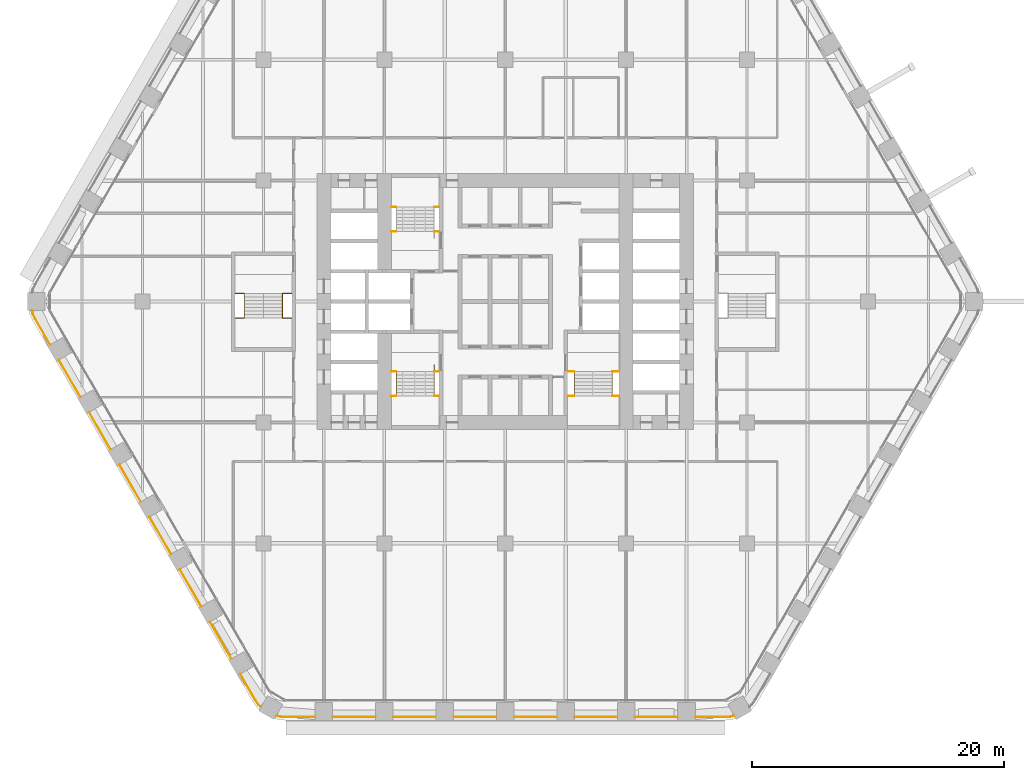
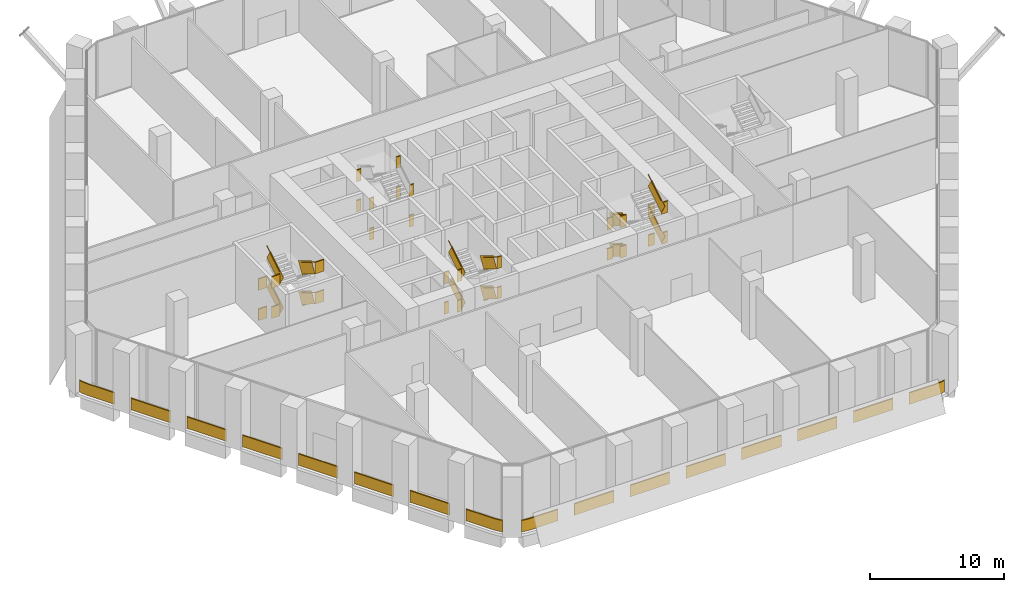
# One storey, part 28 of 29: 9 railings.
"""IFC4 building model written with IfcOpenShell, lengths in metres."""

from ifc_helpers import new_model, si_unit, direction, frame, frame_2d, origin, origin_2d, place, context, subcontext, project, spatial, rectangle, extrude, material, type_object, element, save


model = new_model("IFC4")

# Units and contexts
model_context = context("Model", 3, precision=1e-05, world=origin(), true_north=direction((0.0, 1.0)))
body_context = subcontext(model_context, "Body", "Model", "MODEL_VIEW")
ifc_project = project(units=[si_unit("LENGTHUNIT", "METRE"), si_unit("AREAUNIT", "SQUARE_METRE"), si_unit("VOLUMEUNIT", "CUBIC_METRE"), si_unit("PLANEANGLEUNIT", "RADIAN"), si_unit("MASSUNIT", "GRAM", prefix="KILO")], contexts=[model_context])

# Site, building, storey
site_placement = place(None, origin())
site = spatial("IfcSite", under=ifc_project, at=site_placement, CompositionType="ELEMENT")
building_placement = place(site_placement, origin())
building = spatial("IfcBuilding", under=site, at=building_placement, Name="Kolab Exchange Tower", CompositionType="ELEMENT")
storey_placement = place(building_placement, frame((0.0, 0.0, 33.39990234375)))
storey = spatial("IfcBuildingStorey", under=building, at=storey_placement, Name="L06", CompositionType="ELEMENT", Elevation=33.39990234375)

# Railings
ifc_material_1 = material(Name="Stainless steel 316", Category="steel")
railing_type_1 = type_object("IfcRailingType", Name="GUARD 1100", PredefinedType="GUARDRAIL", material=ifc_material_1)
railing_1_placement = place(storey_placement, frame((-9.050048828125, 5.550048828125, 0.0)))
element("IfcRailing", 1, at=railing_1_placement, inside=storey, type_object=railing_type_1, Name="Guard ST1", PredefinedType="GUARDRAIL", context=body_context, shape_type="SweptSolid", body=[
    extrude(rectangle(XDim=0.05, YDim=0.05, at=origin_2d()), frame((0.0, 0.0, 1.0751953125), z_axis=(1.0, 0.0, 0.0), x_axis=(0.0, 1.0, 0.0)), (0.0, 0.0, 1.0), 0.39013671875),
    extrude(rectangle(XDim=0.012, YDim=1.05009765625, at=frame_2d((0.0, 0.525146484375))), frame((0.0, 0.0, 0.0), z_axis=(1.0, 0.0, 0.0), x_axis=(0.0, 1.0, 0.0)), (0.0, 0.0, 1.0), 0.39013671875),
    extrude(rectangle(XDim=0.05, YDim=0.05, at=origin_2d()), frame((3.41015625, 0.0, 1.0751953125), z_axis=(1.0, 0.0, 0.0), x_axis=(0.0, 1.0, 0.0)), (0.0, 0.0, 1.0), 0.389892578125),
    extrude(rectangle(XDim=0.012, YDim=1.05009765625, at=frame_2d((0.0, 0.525146484375))), frame((3.41015625, 0.0, 0.0), z_axis=(1.0, 0.0, 0.0), x_axis=(0.0, 1.0, 0.0)), (0.0, 0.0, 1.0), 0.389892578125),
    extrude(rectangle(XDim=0.05, YDim=0.05, at=origin_2d()), frame((0.0, 1.9599609375, 2.4501953125), z_axis=(1.0, 0.0, 0.0), x_axis=(0.0, 1.0, 0.0)), (0.0, 0.0, 1.0), 0.39013671875),
    extrude(rectangle(XDim=0.012, YDim=1.05009765625, at=frame_2d((0.0, 0.525146484375))), frame((0.0, 1.9599609375, 1.375), z_axis=(1.0, 0.0, 0.0), x_axis=(0.0, 1.0, 0.0)), (0.0, 0.0, 1.0), 0.39013671875),
    extrude(rectangle(XDim=0.05, YDim=0.05, at=origin_2d()), frame((3.41015625, 1.9599609375, 2.4501953125), z_axis=(1.0, 0.0, 0.0), x_axis=(0.0, 1.0, 0.0)), (0.0, 0.0, 1.0), 0.389892578125),
    extrude(rectangle(XDim=0.012, YDim=1.05009765625, at=frame_2d((0.0, 0.525146484375))), frame((3.41015625, 1.9599609375, 1.375), z_axis=(1.0, 0.0, 0.0), x_axis=(0.0, 1.0, 0.0)), (0.0, 0.0, 1.0), 0.389892578125),
    extrude(rectangle(XDim=0.05, YDim=0.05, at=origin_2d()), frame((0.0, 0.0, 3.8251953125), z_axis=(1.0, 0.0, 0.0), x_axis=(0.0, 1.0, 0.0)), (0.0, 0.0, 1.0), 0.39013671875),
    extrude(rectangle(XDim=0.012, YDim=1.05009765625, at=frame_2d((0.0, 0.525146484375))), frame((0.0, 0.0, 2.75), z_axis=(1.0, 0.0, 0.0), x_axis=(0.0, 1.0, 0.0)), (0.0, 0.0, 1.0), 0.39013671875),
    extrude(rectangle(XDim=0.05, YDim=0.05, at=origin_2d()), frame((3.41015625, 0.0, 3.8251953125), z_axis=(1.0, 0.0, 0.0), x_axis=(0.0, 1.0, 0.0)), (0.0, 0.0, 1.0), 0.389892578125),
    extrude(rectangle(XDim=0.012, YDim=1.05009765625, at=frame_2d((0.0, 0.525146484375))), frame((3.41015625, 0.0, 2.75), z_axis=(1.0, 0.0, 0.0), x_axis=(0.0, 1.0, 0.0)), (0.0, 0.0, 1.0), 0.389892578125),
    extrude(rectangle(XDim=0.05, YDim=0.05, at=origin_2d()), frame((0.0, 1.9599609375, 5.2001953125), z_axis=(1.0, 0.0, 0.0), x_axis=(0.0, 1.0, 0.0)), (0.0, 0.0, 1.0), 0.39013671875),
    extrude(rectangle(XDim=0.012, YDim=1.05009765625, at=frame_2d((0.0, 0.525146484375))), frame((0.0, 1.9599609375, 4.125), z_axis=(1.0, 0.0, 0.0), x_axis=(0.0, 1.0, 0.0)), (0.0, 0.0, 1.0), 0.39013671875),
    extrude(rectangle(XDim=0.05, YDim=0.05, at=origin_2d()), frame((3.41015625, 1.9599609375, 5.2001953125), z_axis=(1.0, 0.0, 0.0), x_axis=(0.0, 1.0, 0.0)), (0.0, 0.0, 1.0), 0.389892578125),
    extrude(rectangle(XDim=0.012, YDim=1.05009765625, at=frame_2d((0.0, 0.525146484375))), frame((3.41015625, 1.9599609375, 4.125), z_axis=(1.0, 0.0, 0.0), x_axis=(0.0, 1.0, 0.0)), (0.0, 0.0, 1.0), 0.389892578125),
])
railing_2_placement = place(storey_placement, frame((-9.050048828125, -5.550048828125, 0.0)))
element("IfcRailing", 2, at=railing_2_placement, inside=storey, type_object=railing_type_1, Name="Guard ST3", PredefinedType="GUARDRAIL", context=body_context, shape_type="SweptSolid", body=[
    extrude(rectangle(XDim=0.05, YDim=0.05, at=origin_2d()), frame((0.0, 0.0, 1.0751953125), z_axis=(1.0, 0.0, 0.0), x_axis=(0.0, 1.0, 0.0)), (0.0, 0.0, 1.0), 0.39013671875),
    extrude(rectangle(XDim=0.012, YDim=1.05009765625, at=frame_2d((0.0, 0.525146484375))), frame((0.0, 0.0, 0.0), z_axis=(1.0, 0.0, 0.0), x_axis=(0.0, 1.0, 0.0)), (0.0, 0.0, 1.0), 0.39013671875),
    extrude(rectangle(XDim=0.05, YDim=0.05, at=origin_2d()), frame((3.41015625, 0.0, 1.0751953125), z_axis=(1.0, 0.0, 0.0), x_axis=(0.0, 1.0, 0.0)), (0.0, 0.0, 1.0), 0.389892578125),
    extrude(rectangle(XDim=0.012, YDim=1.05009765625, at=frame_2d((0.0, 0.525146484375))), frame((3.41015625, 0.0, 0.0), z_axis=(1.0, 0.0, 0.0), x_axis=(0.0, 1.0, 0.0)), (0.0, 0.0, 1.0), 0.389892578125),
    extrude(rectangle(XDim=0.05, YDim=0.05, at=origin_2d()), frame((0.0, -1.9599609375, 2.4501953125), z_axis=(1.0, 0.0, 0.0), x_axis=(0.0, 1.0, 0.0)), (0.0, 0.0, 1.0), 0.39013671875),
    extrude(rectangle(XDim=0.012, YDim=1.05009765625, at=frame_2d((0.0, 0.525146484375))), frame((0.0, -1.9599609375, 1.375), z_axis=(1.0, 0.0, 0.0), x_axis=(0.0, 1.0, 0.0)), (0.0, 0.0, 1.0), 0.39013671875),
    extrude(rectangle(XDim=0.05, YDim=0.05, at=origin_2d()), frame((3.41015625, -1.9599609375, 2.4501953125), z_axis=(1.0, 0.0, 0.0), x_axis=(0.0, 1.0, 0.0)), (0.0, 0.0, 1.0), 0.389892578125),
    extrude(rectangle(XDim=0.012, YDim=1.05009765625, at=frame_2d((0.0, 0.525146484375))), frame((3.41015625, -1.9599609375, 1.375), z_axis=(1.0, 0.0, 0.0), x_axis=(0.0, 1.0, 0.0)), (0.0, 0.0, 1.0), 0.389892578125),
    extrude(rectangle(XDim=0.05, YDim=0.05, at=origin_2d()), frame((0.0, 0.0, 3.8251953125), z_axis=(1.0, 0.0, 0.0), x_axis=(0.0, 1.0, 0.0)), (0.0, 0.0, 1.0), 0.39013671875),
    extrude(rectangle(XDim=0.012, YDim=1.05009765625, at=frame_2d((0.0, 0.525146484375))), frame((0.0, 0.0, 2.75), z_axis=(1.0, 0.0, 0.0), x_axis=(0.0, 1.0, 0.0)), (0.0, 0.0, 1.0), 0.39013671875),
    extrude(rectangle(XDim=0.05, YDim=0.05, at=origin_2d()), frame((3.41015625, 0.0, 3.8251953125), z_axis=(1.0, 0.0, 0.0), x_axis=(0.0, 1.0, 0.0)), (0.0, 0.0, 1.0), 0.389892578125),
    extrude(rectangle(XDim=0.012, YDim=1.05009765625, at=frame_2d((0.0, 0.525146484375))), frame((3.41015625, 0.0, 2.75), z_axis=(1.0, 0.0, 0.0), x_axis=(0.0, 1.0, 0.0)), (0.0, 0.0, 1.0), 0.389892578125),
    extrude(rectangle(XDim=0.05, YDim=0.05, at=origin_2d()), frame((0.0, -1.9599609375, 5.2001953125), z_axis=(1.0, 0.0, 0.0), x_axis=(0.0, 1.0, 0.0)), (0.0, 0.0, 1.0), 0.39013671875),
    extrude(rectangle(XDim=0.012, YDim=1.05009765625, at=frame_2d((0.0, 0.525146484375))), frame((0.0, -1.9599609375, 4.125), z_axis=(1.0, 0.0, 0.0), x_axis=(0.0, 1.0, 0.0)), (0.0, 0.0, 1.0), 0.39013671875),
    extrude(rectangle(XDim=0.05, YDim=0.05, at=origin_2d()), frame((3.41015625, -1.9599609375, 5.2001953125), z_axis=(1.0, 0.0, 0.0), x_axis=(0.0, 1.0, 0.0)), (0.0, 0.0, 1.0), 0.389892578125),
    extrude(rectangle(XDim=0.012, YDim=1.05009765625, at=frame_2d((0.0, 0.525146484375))), frame((3.41015625, -1.9599609375, 4.125), z_axis=(1.0, 0.0, 0.0), x_axis=(0.0, 1.0, 0.0)), (0.0, 0.0, 1.0), 0.389892578125),
])
railing_3_placement = place(storey_placement, frame((-5.639892578125, -5.550048828125, 0.172119140625)))
element("IfcRailing", 3, at=railing_3_placement, inside=storey, type_object=railing_type_1, Name="Handrail guard ST3", PredefinedType="GUARDRAIL", context=body_context, shape_type="SweptSolid", body=[
    extrude(rectangle(XDim=0.05, YDim=0.05, at=origin_2d()), frame((0.0, 0.0, 1.0751953125), z_axis=(0.0, -0.852288308005, 0.523072308613), x_axis=(1.0, 0.0, 0.0)), (0.0, 0.0, 1.0), 2.299560546875),
    extrude(rectangle(XDim=0.012, YDim=1.05009765625, at=frame_2d((0.0, 0.525146484375))), frame((0.0, 0.0, 0.0), z_axis=(0.0, -0.852288308005, 0.523072308613), x_axis=(1.0, 0.0, 0.0)), (0.0, 0.0, 1.0), 2.299560546875),
    extrude(rectangle(XDim=0.05, YDim=0.05, at=origin_2d()), frame((-3.02001953125, -1.9599609375, 2.4501953125), z_axis=(0.0, 0.852288308005, 0.523072308613), x_axis=(-1.0, 0.0, 0.0)), (0.0, 0.0, 1.0), 2.299560546875),
    extrude(rectangle(XDim=0.012, YDim=1.05009765625, at=frame_2d((0.0, 0.525146484375))), frame((-3.02001953125, -1.9599609375, 1.375), z_axis=(0.0, 0.852288308005, 0.523072308613), x_axis=(-1.0, 0.0, 0.0)), (0.0, 0.0, 1.0), 2.299560546875),
    extrude(rectangle(XDim=0.05, YDim=0.05, at=origin_2d()), frame((0.0, 0.0, 3.8251953125), z_axis=(0.0, -0.852288308005, 0.523072308613), x_axis=(1.0, 0.0, 0.0)), (0.0, 0.0, 1.0), 2.299560546875),
    extrude(rectangle(XDim=0.012, YDim=1.05009765625, at=frame_2d((0.0, 0.525146484375))), frame((0.0, 0.0, 2.75), z_axis=(0.0, -0.852288308005, 0.523072308613), x_axis=(1.0, 0.0, 0.0)), (0.0, 0.0, 1.0), 2.299560546875),
    extrude(rectangle(XDim=0.05, YDim=0.05, at=origin_2d()), frame((-3.02001953125, -1.9599609375, 5.2001953125), z_axis=(0.0, 0.852288308005, 0.523072308613), x_axis=(-1.0, 0.0, 0.0)), (0.0, 0.0, 1.0), 2.299560546875),
    extrude(rectangle(XDim=0.012, YDim=1.05009765625, at=frame_2d((0.0, 0.525146484375))), frame((-3.02001953125, -1.9599609375, 4.125), z_axis=(0.0, 0.852288308005, 0.523072308613), x_axis=(-1.0, 0.0, 0.0)), (0.0, 0.0, 1.0), 2.299560546875),
])
railing_4_placement = place(storey_placement, frame((4.949951171875, -5.550048828125, 0.0)))
element("IfcRailing", 4, at=railing_4_placement, inside=storey, type_object=railing_type_1, Name="Guard ST2", PredefinedType="GUARDRAIL", context=body_context, shape_type="SweptSolid", body=[
    extrude(rectangle(XDim=0.05, YDim=0.05, at=origin_2d()), frame((0.0, 0.0, 1.0751953125), z_axis=(1.0, 0.0, 0.0), x_axis=(0.0, 1.0, 0.0)), (0.0, 0.0, 1.0), 0.5400390625),
    extrude(rectangle(XDim=0.012, YDim=1.05009765625, at=frame_2d((0.0, 0.525146484375))), frame((0.0, 0.0, 0.0), z_axis=(1.0, 0.0, 0.0), x_axis=(0.0, 1.0, 0.0)), (0.0, 0.0, 1.0), 0.5400390625),
    extrude(rectangle(XDim=0.05, YDim=0.05, at=origin_2d()), frame((3.56005859375, 0.0, 1.0751953125), z_axis=(1.0, 0.0, 0.0), x_axis=(0.0, 1.0, 0.0)), (0.0, 0.0, 1.0), 0.5400390625),
    extrude(rectangle(XDim=0.012, YDim=1.05009765625, at=frame_2d((0.0, 0.525146484375))), frame((3.56005859375, 0.0, 0.0), z_axis=(1.0, 0.0, 0.0), x_axis=(0.0, 1.0, 0.0)), (0.0, 0.0, 1.0), 0.5400390625),
    extrude(rectangle(XDim=0.05, YDim=0.05, at=origin_2d()), frame((0.0, -1.9599609375, 2.4501953125), z_axis=(1.0, 0.0, 0.0), x_axis=(0.0, 1.0, 0.0)), (0.0, 0.0, 1.0), 0.5400390625),
    extrude(rectangle(XDim=0.012, YDim=1.05009765625, at=frame_2d((0.0, 0.525146484375))), frame((0.0, -1.9599609375, 1.375), z_axis=(1.0, 0.0, 0.0), x_axis=(0.0, 1.0, 0.0)), (0.0, 0.0, 1.0), 0.5400390625),
    extrude(rectangle(XDim=0.05, YDim=0.05, at=origin_2d()), frame((3.56005859375, -1.9599609375, 2.4501953125), z_axis=(1.0, 0.0, 0.0), x_axis=(0.0, 1.0, 0.0)), (0.0, 0.0, 1.0), 0.5400390625),
    extrude(rectangle(XDim=0.012, YDim=1.05009765625, at=frame_2d((0.0, 0.525146484375))), frame((3.56005859375, -1.9599609375, 1.375), z_axis=(1.0, 0.0, 0.0), x_axis=(0.0, 1.0, 0.0)), (0.0, 0.0, 1.0), 0.5400390625),
    extrude(rectangle(XDim=0.05, YDim=0.05, at=origin_2d()), frame((0.0, 0.0, 3.8251953125), z_axis=(1.0, 0.0, 0.0), x_axis=(0.0, 1.0, 0.0)), (0.0, 0.0, 1.0), 0.5400390625),
    extrude(rectangle(XDim=0.012, YDim=1.05009765625, at=frame_2d((0.0, 0.525146484375))), frame((0.0, 0.0, 2.75), z_axis=(1.0, 0.0, 0.0), x_axis=(0.0, 1.0, 0.0)), (0.0, 0.0, 1.0), 0.5400390625),
    extrude(rectangle(XDim=0.05, YDim=0.05, at=origin_2d()), frame((3.56005859375, 0.0, 3.8251953125), z_axis=(1.0, 0.0, 0.0), x_axis=(0.0, 1.0, 0.0)), (0.0, 0.0, 1.0), 0.5400390625),
    extrude(rectangle(XDim=0.012, YDim=1.05009765625, at=frame_2d((0.0, 0.525146484375))), frame((3.56005859375, 0.0, 2.75), z_axis=(1.0, 0.0, 0.0), x_axis=(0.0, 1.0, 0.0)), (0.0, 0.0, 1.0), 0.5400390625),
    extrude(rectangle(XDim=0.05, YDim=0.05, at=origin_2d()), frame((0.0, -1.9599609375, 5.2001953125), z_axis=(1.0, 0.0, 0.0), x_axis=(0.0, 1.0, 0.0)), (0.0, 0.0, 1.0), 0.5400390625),
    extrude(rectangle(XDim=0.012, YDim=1.05009765625, at=frame_2d((0.0, 0.525146484375))), frame((0.0, -1.9599609375, 4.125), z_axis=(1.0, 0.0, 0.0), x_axis=(0.0, 1.0, 0.0)), (0.0, 0.0, 1.0), 0.5400390625),
    extrude(rectangle(XDim=0.05, YDim=0.05, at=origin_2d()), frame((3.56005859375, -1.9599609375, 5.2001953125), z_axis=(1.0, 0.0, 0.0), x_axis=(0.0, 1.0, 0.0)), (0.0, 0.0, 1.0), 0.5400390625),
    extrude(rectangle(XDim=0.012, YDim=1.05009765625, at=frame_2d((0.0, 0.525146484375))), frame((3.56005859375, -1.9599609375, 4.125), z_axis=(1.0, 0.0, 0.0), x_axis=(0.0, 1.0, 0.0)), (0.0, 0.0, 1.0), 0.5400390625),
])
railing_5_placement = place(storey_placement, frame((5.489990234375, -5.550048828125, 0.172119140625)))
element("IfcRailing", 5, at=railing_5_placement, inside=storey, type_object=railing_type_1, Name="Handrail guard ST2", PredefinedType="GUARDRAIL", context=body_context, shape_type="SweptSolid", body=[
    extrude(rectangle(XDim=0.05, YDim=0.05, at=origin_2d()), frame((0.0, 0.0, 1.0751953125), z_axis=(0.0, -0.852288308005, 0.523072308613), x_axis=(1.0, 0.0, 0.0)), (0.0, 0.0, 1.0), 2.299560546875),
    extrude(rectangle(XDim=0.012, YDim=1.05009765625, at=frame_2d((0.0, 0.525146484375))), frame((0.0, 0.0, 0.0), z_axis=(0.0, -0.852288308005, 0.523072308613), x_axis=(1.0, 0.0, 0.0)), (0.0, 0.0, 1.0), 2.299560546875),
    extrude(rectangle(XDim=0.05, YDim=0.05, at=origin_2d()), frame((3.02001953125, -1.9599609375, 2.4501953125), z_axis=(0.0, 0.852288308005, 0.523072308613), x_axis=(-1.0, 0.0, 0.0)), (0.0, 0.0, 1.0), 2.299560546875),
    extrude(rectangle(XDim=0.012, YDim=1.05009765625, at=frame_2d((0.0, 0.525146484375))), frame((3.02001953125, -1.9599609375, 1.375), z_axis=(0.0, 0.852288308005, 0.523072308613), x_axis=(-1.0, 0.0, 0.0)), (0.0, 0.0, 1.0), 2.299560546875),
    extrude(rectangle(XDim=0.05, YDim=0.05, at=origin_2d()), frame((0.0, 0.0, 3.8251953125), z_axis=(0.0, -0.852288308005, 0.523072308613), x_axis=(1.0, 0.0, 0.0)), (0.0, 0.0, 1.0), 2.299560546875),
    extrude(rectangle(XDim=0.012, YDim=1.05009765625, at=frame_2d((0.0, 0.525146484375))), frame((0.0, 0.0, 2.75), z_axis=(0.0, -0.852288308005, 0.523072308613), x_axis=(1.0, 0.0, 0.0)), (0.0, 0.0, 1.0), 2.299560546875),
    extrude(rectangle(XDim=0.05, YDim=0.05, at=origin_2d()), frame((3.02001953125, -1.9599609375, 5.2001953125), z_axis=(0.0, 0.852288308005, 0.523072308613), x_axis=(-1.0, 0.0, 0.0)), (0.0, 0.0, 1.0), 2.299560546875),
    extrude(rectangle(XDim=0.012, YDim=1.05009765625, at=frame_2d((0.0, 0.525146484375))), frame((3.02001953125, -1.9599609375, 4.125), z_axis=(0.0, 0.852288308005, 0.523072308613), x_axis=(-1.0, 0.0, 0.0)), (0.0, 0.0, 1.0), 2.299560546875),
])
railing_6_placement = place(storey_placement, frame((-21.449951171875, 0.64990234375, 0.0)))
element("IfcRailing", 6, at=railing_6_placement, inside=storey, type_object=railing_type_1, Name="Guard ST5", PredefinedType="GUARDRAIL", context=body_context, shape_type="SweptSolid", body=[
    extrude(rectangle(XDim=0.05, YDim=0.05, at=origin_2d()), frame((0.0, 0.0, 1.0751953125), z_axis=(1.0, 0.0, 0.0), x_axis=(0.0, 1.0, 0.0)), (0.0, 0.0, 1.0), 0.739990234375),
    extrude(rectangle(XDim=0.012, YDim=1.05009765625, at=frame_2d((0.0, 0.525146484375))), frame((0.0, 0.0, 0.0), z_axis=(1.0, 0.0, 0.0), x_axis=(0.0, 1.0, 0.0)), (0.0, 0.0, 1.0), 0.739990234375),
    extrude(rectangle(XDim=0.05, YDim=0.05, at=origin_2d()), frame((3.760009765625, 0.0, 1.0751953125), z_axis=(1.0, 0.0, 0.0), x_axis=(0.0, 1.0, 0.0)), (0.0, 0.0, 1.0), 0.739990234375),
    extrude(rectangle(XDim=0.012, YDim=1.05009765625, at=frame_2d((0.0, 0.525146484375))), frame((3.760009765625, 0.0, 0.0), z_axis=(1.0, 0.0, 0.0), x_axis=(0.0, 1.0, 0.0)), (0.0, 0.0, 1.0), 0.739990234375),
    extrude(rectangle(XDim=0.05, YDim=0.05, at=origin_2d()), frame((0.0, -1.9599609375, 2.4501953125), z_axis=(1.0, 0.0, 0.0), x_axis=(0.0, 1.0, 0.0)), (0.0, 0.0, 1.0), 0.739990234375),
    extrude(rectangle(XDim=0.012, YDim=1.05009765625, at=frame_2d((0.0, 0.525146484375))), frame((0.0, -1.9599609375, 1.375), z_axis=(1.0, 0.0, 0.0), x_axis=(0.0, 1.0, 0.0)), (0.0, 0.0, 1.0), 0.739990234375),
    extrude(rectangle(XDim=0.05, YDim=0.05, at=origin_2d()), frame((3.760009765625, -1.9599609375, 2.4501953125), z_axis=(1.0, 0.0, 0.0), x_axis=(0.0, 1.0, 0.0)), (0.0, 0.0, 1.0), 0.739990234375),
    extrude(rectangle(XDim=0.012, YDim=1.05009765625, at=frame_2d((0.0, 0.525146484375))), frame((3.760009765625, -1.9599609375, 1.375), z_axis=(1.0, 0.0, 0.0), x_axis=(0.0, 1.0, 0.0)), (0.0, 0.0, 1.0), 0.739990234375),
    extrude(rectangle(XDim=0.05, YDim=0.05, at=origin_2d()), frame((0.0, 0.0, 3.8251953125), z_axis=(1.0, 0.0, 0.0), x_axis=(0.0, 1.0, 0.0)), (0.0, 0.0, 1.0), 0.739990234375),
    extrude(rectangle(XDim=0.012, YDim=1.05009765625, at=frame_2d((0.0, 0.525146484375))), frame((0.0, 0.0, 2.75), z_axis=(1.0, 0.0, 0.0), x_axis=(0.0, 1.0, 0.0)), (0.0, 0.0, 1.0), 0.739990234375),
    extrude(rectangle(XDim=0.05, YDim=0.05, at=origin_2d()), frame((3.760009765625, 0.0, 3.8251953125), z_axis=(1.0, 0.0, 0.0), x_axis=(0.0, 1.0, 0.0)), (0.0, 0.0, 1.0), 0.739990234375),
    extrude(rectangle(XDim=0.012, YDim=1.05009765625, at=frame_2d((0.0, 0.525146484375))), frame((3.760009765625, 0.0, 2.75), z_axis=(1.0, 0.0, 0.0), x_axis=(0.0, 1.0, 0.0)), (0.0, 0.0, 1.0), 0.739990234375),
    extrude(rectangle(XDim=0.05, YDim=0.05, at=origin_2d()), frame((0.0, -1.9599609375, 5.2001953125), z_axis=(1.0, 0.0, 0.0), x_axis=(0.0, 1.0, 0.0)), (0.0, 0.0, 1.0), 0.739990234375),
    extrude(rectangle(XDim=0.012, YDim=1.05009765625, at=frame_2d((0.0, 0.525146484375))), frame((0.0, -1.9599609375, 4.125), z_axis=(1.0, 0.0, 0.0), x_axis=(0.0, 1.0, 0.0)), (0.0, 0.0, 1.0), 0.739990234375),
    extrude(rectangle(XDim=0.05, YDim=0.05, at=origin_2d()), frame((3.760009765625, -1.9599609375, 5.2001953125), z_axis=(1.0, 0.0, 0.0), x_axis=(0.0, 1.0, 0.0)), (0.0, 0.0, 1.0), 0.739990234375),
    extrude(rectangle(XDim=0.012, YDim=1.05009765625, at=frame_2d((0.0, 0.525146484375))), frame((3.760009765625, -1.9599609375, 4.125), z_axis=(1.0, 0.0, 0.0), x_axis=(0.0, 1.0, 0.0)), (0.0, 0.0, 1.0), 0.739990234375),
])
railing_7_placement = place(storey_placement, frame((-17.68994140625, 0.64990234375, 0.172119140625)))
element("IfcRailing", 7, at=railing_7_placement, inside=storey, type_object=railing_type_1, Name="Handrail guard ST5", PredefinedType="GUARDRAIL", context=body_context, shape_type="SweptSolid", body=[
    extrude(rectangle(XDim=0.05, YDim=0.05, at=origin_2d()), frame((0.0, 0.0, 1.0751953125), z_axis=(0.0, -0.852288308005, 0.523072308613), x_axis=(1.0, 0.0, 0.0)), (0.0, 0.0, 1.0), 2.299560546875),
    extrude(rectangle(XDim=0.012, YDim=1.05009765625, at=frame_2d((0.0, 0.525146484375))), frame((0.0, 0.0, 0.0), z_axis=(0.0, -0.852288308005, 0.523072308613), x_axis=(1.0, 0.0, 0.0)), (0.0, 0.0, 1.0), 2.299560546875),
    extrude(rectangle(XDim=0.05, YDim=0.05, at=origin_2d()), frame((-3.02001953125, -1.9599609375, 2.4501953125), z_axis=(0.0, 0.852288308005, 0.523072308613), x_axis=(-1.0, 0.0, 0.0)), (0.0, 0.0, 1.0), 2.299560546875),
    extrude(rectangle(XDim=0.012, YDim=1.05009765625, at=frame_2d((0.0, 0.525146484375))), frame((-3.02001953125, -1.9599609375, 1.375), z_axis=(0.0, 0.852288308005, 0.523072308613), x_axis=(-1.0, 0.0, 0.0)), (0.0, 0.0, 1.0), 2.299560546875),
    extrude(rectangle(XDim=0.05, YDim=0.05, at=origin_2d()), frame((0.0, 0.0, 3.8251953125), z_axis=(0.0, -0.852288308005, 0.523072308613), x_axis=(1.0, 0.0, 0.0)), (0.0, 0.0, 1.0), 2.299560546875),
    extrude(rectangle(XDim=0.012, YDim=1.05009765625, at=frame_2d((0.0, 0.525146484375))), frame((0.0, 0.0, 2.75), z_axis=(0.0, -0.852288308005, 0.523072308613), x_axis=(1.0, 0.0, 0.0)), (0.0, 0.0, 1.0), 2.299560546875),
    extrude(rectangle(XDim=0.05, YDim=0.05, at=origin_2d()), frame((-3.02001953125, -1.9599609375, 5.2001953125), z_axis=(0.0, 0.852288308005, 0.523072308613), x_axis=(-1.0, 0.0, 0.0)), (0.0, 0.0, 1.0), 2.299560546875),
    extrude(rectangle(XDim=0.012, YDim=1.05009765625, at=frame_2d((0.0, 0.525146484375))), frame((-3.02001953125, -1.9599609375, 4.125), z_axis=(0.0, 0.852288308005, 0.523072308613), x_axis=(-1.0, 0.0, 0.0)), (0.0, 0.0, 1.0), 2.299560546875),
])
ifc_material_2 = material(Name="Steel S235", Category="steel")
railing_type_2 = type_object("IfcRailingType", Name="GUARD 1100 GLASS BALUSTRADE AND STEEL TOP RAIL", PredefinedType="GUARDRAIL", material=ifc_material_2)
railing_8_placement = place(storey_placement, frame((-18.1953125, -32.896728515625, 0.0)))
element("IfcRailing", 8, at=railing_8_placement, inside=storey, type_object=railing_type_2, Name="Guard", PredefinedType="GUARDRAIL", context=body_context, shape_type="SweptSolid", body=[
    extrude(rectangle(XDim=0.05, YDim=0.05, at=origin_2d()), frame((0.0, 0.0, 1.0751953125), z_axis=(0.965952265455, -0.258720352624, 0.0), x_axis=(0.258720352624, 0.965952265455, 0.0)), (0.0, 0.0, 1.0), 0.258544921875),
    extrude(rectangle(XDim=0.012, YDim=1.05009765625, at=frame_2d((0.0, 0.525146484375))), frame((0.0, 0.0, 0.0), z_axis=(0.965952265455, -0.258720352624, 0.0), x_axis=(0.258720352624, 0.965952265455, 0.0)), (0.0, 0.0, 1.0), 0.258544921875),
    extrude(rectangle(XDim=0.05, YDim=0.05, at=origin_2d()), frame((0.249755859375, -0.06689453125, 1.0751953125), z_axis=(0.996200348447, -0.087091134757, 0.0), x_axis=(0.087091134757, 0.996200348447, 0.0)), (0.0, 0.0, 1.0), 0.479248046875),
    extrude(rectangle(XDim=0.012, YDim=1.05009765625, at=frame_2d((0.0, 0.525146484375))), frame((0.249755859375, -0.06689453125, 0.0), z_axis=(0.996200348447, -0.087091134757, 0.0), x_axis=(0.087091134757, 0.996200348447, 0.0)), (0.0, 0.0, 1.0), 0.479248046875),
    extrude(rectangle(XDim=0.05, YDim=0.05, at=origin_2d()), frame((0.727294921875, -0.108642578125, 1.0751953125), z_axis=(1.0, 0.0, 0.0), x_axis=(0.0, 1.0, 0.0)), (0.0, 0.0, 1.0), 2.367919921875),
    extrude(rectangle(XDim=0.012, YDim=1.05009765625, at=frame_2d((0.0, 0.525146484375))), frame((0.727294921875, -0.108642578125, 0.0), z_axis=(1.0, 0.0, 0.0), x_axis=(0.0, 1.0, 0.0)), (0.0, 0.0, 1.0), 2.367919921875),
    extrude(rectangle(XDim=0.05, YDim=0.05, at=origin_2d()), frame((4.495361328125, -0.108642578125, 1.0751953125), z_axis=(1.0, 0.0, 0.0), x_axis=(0.0, 1.0, 0.0)), (0.0, 0.0, 1.0), 3.39990234375),
    extrude(rectangle(XDim=0.012, YDim=1.05009765625, at=frame_2d((0.0, 0.525146484375))), frame((4.495361328125, -0.108642578125, 0.0), z_axis=(1.0, 0.0, 0.0), x_axis=(0.0, 1.0, 0.0)), (0.0, 0.0, 1.0), 3.39990234375),
    extrude(rectangle(XDim=0.05, YDim=0.05, at=origin_2d()), frame((9.29541015625, -0.108642578125, 1.0751953125), z_axis=(1.0, 0.0, 0.0), x_axis=(0.0, 1.0, 0.0)), (0.0, 0.0, 1.0), 3.39990234375),
    extrude(rectangle(XDim=0.012, YDim=1.05009765625, at=frame_2d((0.0, 0.525146484375))), frame((9.29541015625, -0.108642578125, 0.0), z_axis=(1.0, 0.0, 0.0), x_axis=(0.0, 1.0, 0.0)), (0.0, 0.0, 1.0), 3.39990234375),
    extrude(rectangle(XDim=0.05, YDim=0.05, at=origin_2d()), frame((14.09521484375, -0.108642578125, 1.0751953125), z_axis=(1.0, 0.0, 0.0), x_axis=(0.0, 1.0, 0.0)), (0.0, 0.0, 1.0), 3.400146484375),
    extrude(rectangle(XDim=0.012, YDim=1.05009765625, at=frame_2d((0.0, 0.525146484375))), frame((14.09521484375, -0.108642578125, 0.0), z_axis=(1.0, 0.0, 0.0), x_axis=(0.0, 1.0, 0.0)), (0.0, 0.0, 1.0), 3.400146484375),
    extrude(rectangle(XDim=0.05, YDim=0.05, at=origin_2d()), frame((18.895263671875, -0.108642578125, 1.0751953125), z_axis=(1.0, 0.0, 0.0), x_axis=(0.0, 1.0, 0.0)), (0.0, 0.0, 1.0), 3.400146484375),
    extrude(rectangle(XDim=0.012, YDim=1.05009765625, at=frame_2d((0.0, 0.525146484375))), frame((18.895263671875, -0.108642578125, 0.0), z_axis=(1.0, 0.0, 0.0), x_axis=(0.0, 1.0, 0.0)), (0.0, 0.0, 1.0), 3.400146484375),
    extrude(rectangle(XDim=0.05, YDim=0.05, at=origin_2d()), frame((23.6953125, -0.108642578125, 1.0751953125), z_axis=(1.0, 0.0, 0.0), x_axis=(0.0, 1.0, 0.0)), (0.0, 0.0, 1.0), 3.39990234375),
    extrude(rectangle(XDim=0.012, YDim=1.05009765625, at=frame_2d((0.0, 0.525146484375))), frame((23.6953125, -0.108642578125, 0.0), z_axis=(1.0, 0.0, 0.0), x_axis=(0.0, 1.0, 0.0)), (0.0, 0.0, 1.0), 3.39990234375),
    extrude(rectangle(XDim=0.05, YDim=0.05, at=origin_2d()), frame((28.495361328125, -0.108642578125, 1.0751953125), z_axis=(1.0, 0.0, 0.0), x_axis=(0.0, 1.0, 0.0)), (0.0, 0.0, 1.0), 3.39990234375),
    extrude(rectangle(XDim=0.012, YDim=1.05009765625, at=frame_2d((0.0, 0.525146484375))), frame((28.495361328125, -0.108642578125, 0.0), z_axis=(1.0, 0.0, 0.0), x_axis=(0.0, 1.0, 0.0)), (0.0, 0.0, 1.0), 3.39990234375),
    extrude(rectangle(XDim=0.05, YDim=0.05, at=origin_2d()), frame((33.29541015625, -0.108642578125, 1.0751953125), z_axis=(1.0, 0.0, 0.0), x_axis=(0.0, 1.0, 0.0)), (0.0, 0.0, 1.0), 2.367919921875),
    extrude(rectangle(XDim=0.012, YDim=1.05009765625, at=frame_2d((0.0, 0.525146484375))), frame((33.29541015625, -0.108642578125, 0.0), z_axis=(1.0, 0.0, 0.0), x_axis=(0.0, 1.0, 0.0)), (0.0, 0.0, 1.0), 2.367919921875),
    extrude(rectangle(XDim=0.05, YDim=0.05, at=origin_2d()), frame((35.663330078125, -0.108642578125, 1.0751953125), z_axis=(0.996200348447, 0.087091134757, 0.0), x_axis=(-0.087091134757, 0.996200348447, 0.0)), (0.0, 0.0, 1.0), 0.479248046875),
    extrude(rectangle(XDim=0.012, YDim=1.05009765625, at=frame_2d((0.0, 0.525146484375))), frame((35.663330078125, -0.108642578125, 0.0), z_axis=(0.996200348447, 0.087091134757, 0.0), x_axis=(-0.087091134757, 0.996200348447, 0.0)), (0.0, 0.0, 1.0), 0.479248046875),
    extrude(rectangle(XDim=0.05, YDim=0.05, at=origin_2d()), frame((36.140869140625, -0.06689453125, 1.0751953125), z_axis=(0.965952265455, 0.258720352624, 0.0), x_axis=(-0.258720352624, 0.965952265455, 0.0)), (0.0, 0.0, 1.0), 0.258544921875),
    extrude(rectangle(XDim=0.012, YDim=1.05009765625, at=frame_2d((0.0, 0.525146484375))), frame((36.140869140625, -0.06689453125, 0.0), z_axis=(0.965952265455, 0.258720352624, 0.0), x_axis=(-0.258720352624, 0.965952265455, 0.0)), (0.0, 0.0, 1.0), 0.258544921875),
])
railing_9_placement = place(storey_placement, frame((-37.5869140625, -0.690673828125, 0.0)))
element("IfcRailing", 9, at=railing_9_placement, inside=storey, type_object=railing_type_2, Name="Guard", PredefinedType="GUARDRAIL", context=body_context, shape_type="SweptSolid", body=[
    extrude(rectangle(XDim=0.05, YDim=0.05, at=origin_2d()), frame((0.0, 0.0, 1.0751953125), z_axis=(0.258484584798, -0.966015382601, 0.0), x_axis=(0.966015382601, 0.258484584798, 0.0)), (0.0, 0.0, 1.0), 0.2587890625),
    extrude(rectangle(XDim=0.012, YDim=1.05009765625, at=frame_2d((0.0, 0.525146484375))), frame((0.0, 0.0, 0.0), z_axis=(0.258484584798, -0.966015382601, 0.0), x_axis=(0.966015382601, 0.258484584798, 0.0)), (0.0, 0.0, 1.0), 0.2587890625),
    extrude(rectangle(XDim=0.05, YDim=0.05, at=origin_2d()), frame((0.06689453125, -0.25, 1.0751953125), z_axis=(0.422801802984, -0.906222177721, 0.0), x_axis=(0.906222177721, 0.422801802984, 0.0)), (0.0, 0.0, 1.0), 0.479248046875),
    extrude(rectangle(XDim=0.012, YDim=1.05009765625, at=frame_2d((0.0, 0.525146484375))), frame((0.06689453125, -0.25, 0.0), z_axis=(0.422801802984, -0.906222177721, 0.0), x_axis=(0.906222177721, 0.422801802984, 0.0)), (0.0, 0.0, 1.0), 0.479248046875),
    extrude(rectangle(XDim=0.05, YDim=0.05, at=origin_2d()), frame((0.26953125, -0.684326171875, 1.0751953125), z_axis=(0.499942602326, -0.866058539811, 0.0), x_axis=(0.866058539811, 0.499942602326, 0.0)), (0.0, 0.0, 1.0), 2.367919921875),
    extrude(rectangle(XDim=0.012, YDim=1.05009765625, at=frame_2d((0.0, 0.525146484375))), frame((0.26953125, -0.684326171875, 0.0), z_axis=(0.499942602326, -0.866058539811, 0.0), x_axis=(0.866058539811, 0.499942602326, 0.0)), (0.0, 0.0, 1.0), 2.367919921875),
    extrude(rectangle(XDim=0.05, YDim=0.05, at=origin_2d()), frame((2.1533203125, -3.947509765625, 1.0751953125), z_axis=(0.500062241894, -0.865989465428, 0.0), x_axis=(0.865989465428, 0.500062241894, 0.0)), (0.0, 0.0, 1.0), 3.39990234375),
    extrude(rectangle(XDim=0.012, YDim=1.05009765625, at=frame_2d((0.0, 0.525146484375))), frame((2.1533203125, -3.947509765625, 0.0), z_axis=(0.500062241894, -0.865989465428, 0.0), x_axis=(0.865989465428, 0.500062241894, 0.0)), (0.0, 0.0, 1.0), 3.39990234375),
    extrude(rectangle(XDim=0.05, YDim=0.05, at=origin_2d()), frame((4.553466796875, -8.1044921875, 1.0751953125), z_axis=(0.500008388397, -0.866020560687, 0.0), x_axis=(0.866020560687, 0.500008388397, 0.0)), (0.0, 0.0, 1.0), 3.39990234375),
    extrude(rectangle(XDim=0.012, YDim=1.05009765625, at=frame_2d((0.0, 0.525146484375))), frame((4.553466796875, -8.1044921875, 0.0), z_axis=(0.500008388397, -0.866020560687, 0.0), x_axis=(0.866020560687, 0.500008388397, 0.0)), (0.0, 0.0, 1.0), 3.39990234375),
    extrude(rectangle(XDim=0.05, YDim=0.05, at=origin_2d()), frame((6.953369140625, -12.26123046875, 1.0751953125), z_axis=(0.499977295307, -0.866038511948, 0.0), x_axis=(0.866038511948, 0.499977295307, 0.0)), (0.0, 0.0, 1.0), 3.400146484375),
    extrude(rectangle(XDim=0.012, YDim=1.05009765625, at=frame_2d((0.0, 0.525146484375))), frame((6.953369140625, -12.26123046875, 0.0), z_axis=(0.499977295307, -0.866038511948, 0.0), x_axis=(0.866038511948, 0.499977295307, 0.0)), (0.0, 0.0, 1.0), 3.400146484375),
    extrude(rectangle(XDim=0.05, YDim=0.05, at=origin_2d()), frame((9.353515625, -16.418212890625, 1.0751953125), z_axis=(0.499977295307, -0.866038511948, 0.0), x_axis=(0.866038511948, 0.499977295307, 0.0)), (0.0, 0.0, 1.0), 3.400146484375),
    extrude(rectangle(XDim=0.012, YDim=1.05009765625, at=frame_2d((0.0, 0.525146484375))), frame((9.353515625, -16.418212890625, 0.0), z_axis=(0.499977295307, -0.866038511948, 0.0), x_axis=(0.866038511948, 0.499977295307, 0.0)), (0.0, 0.0, 1.0), 3.400146484375),
    extrude(rectangle(XDim=0.05, YDim=0.05, at=origin_2d()), frame((11.75341796875, -20.5751953125, 1.0751953125), z_axis=(0.500008388397, -0.866020560687, 0.0), x_axis=(0.866020560687, 0.500008388397, 0.0)), (0.0, 0.0, 1.0), 3.39990234375),
    extrude(rectangle(XDim=0.012, YDim=1.05009765625, at=frame_2d((0.0, 0.525146484375))), frame((11.75341796875, -20.5751953125, 0.0), z_axis=(0.500008388397, -0.866020560687, 0.0), x_axis=(0.866020560687, 0.500008388397, 0.0)), (0.0, 0.0, 1.0), 3.39990234375),
    extrude(rectangle(XDim=0.05, YDim=0.05, at=origin_2d()), frame((14.1533203125, -24.732177734375, 1.0751953125), z_axis=(0.500062241894, -0.865989465428, 0.0), x_axis=(0.865989465428, 0.500062241894, 0.0)), (0.0, 0.0, 1.0), 3.39990234375),
    extrude(rectangle(XDim=0.012, YDim=1.05009765625, at=frame_2d((0.0, 0.525146484375))), frame((14.1533203125, -24.732177734375, 0.0), z_axis=(0.500062241894, -0.865989465428, 0.0), x_axis=(0.865989465428, 0.500062241894, 0.0)), (0.0, 0.0, 1.0), 3.39990234375),
    extrude(rectangle(XDim=0.05, YDim=0.05, at=origin_2d()), frame((16.553466796875, -28.888916015625, 1.0751953125), z_axis=(0.499942602326, -0.866058539811, 0.0), x_axis=(0.866058539811, 0.499942602326, 0.0)), (0.0, 0.0, 1.0), 2.367919921875),
    extrude(rectangle(XDim=0.012, YDim=1.05009765625, at=frame_2d((0.0, 0.525146484375))), frame((16.553466796875, -28.888916015625, 0.0), z_axis=(0.499942602326, -0.866058539811, 0.0), x_axis=(0.866058539811, 0.499942602326, 0.0)), (0.0, 0.0, 1.0), 2.367919921875),
    extrude(rectangle(XDim=0.05, YDim=0.05, at=origin_2d()), frame((17.7373046875, -30.939697265625, 1.0751953125), z_axis=(0.573940749815, -0.818896828485, 0.0), x_axis=(0.818896828485, 0.573940749815, 0.0)), (0.0, 0.0, 1.0), 0.4794921875),
    extrude(rectangle(XDim=0.012, YDim=1.05009765625, at=frame_2d((0.0, 0.525146484375))), frame((17.7373046875, -30.939697265625, 0.0), z_axis=(0.573940749815, -0.818896828485, 0.0), x_axis=(0.818896828485, 0.573940749815, 0.0)), (0.0, 0.0, 1.0), 0.4794921875),
    extrude(rectangle(XDim=0.05, YDim=0.05, at=origin_2d()), frame((18.012451171875, -31.332275390625, 1.0751953125), z_axis=(0.706634904947, -0.707578342737, 0.0), x_axis=(0.707578342737, 0.706634904947, 0.0)), (0.0, 0.0, 1.0), 0.2587890625),
    extrude(rectangle(XDim=0.012, YDim=1.05009765625, at=frame_2d((0.0, 0.525146484375))), frame((18.012451171875, -31.332275390625, 0.0), z_axis=(0.706634904947, -0.707578342737, 0.0), x_axis=(0.707578342737, 0.706634904947, 0.0)), (0.0, 0.0, 1.0), 0.2587890625),
])

save(model, "model.ifc")
